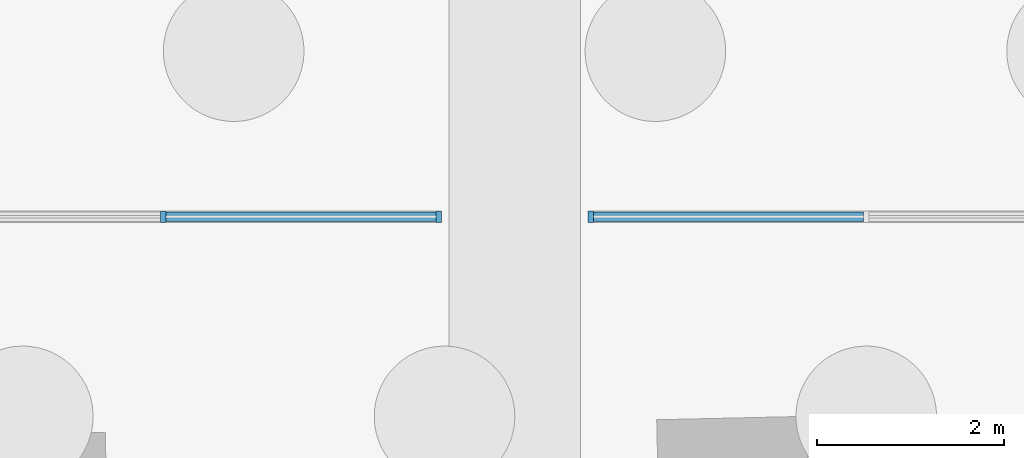
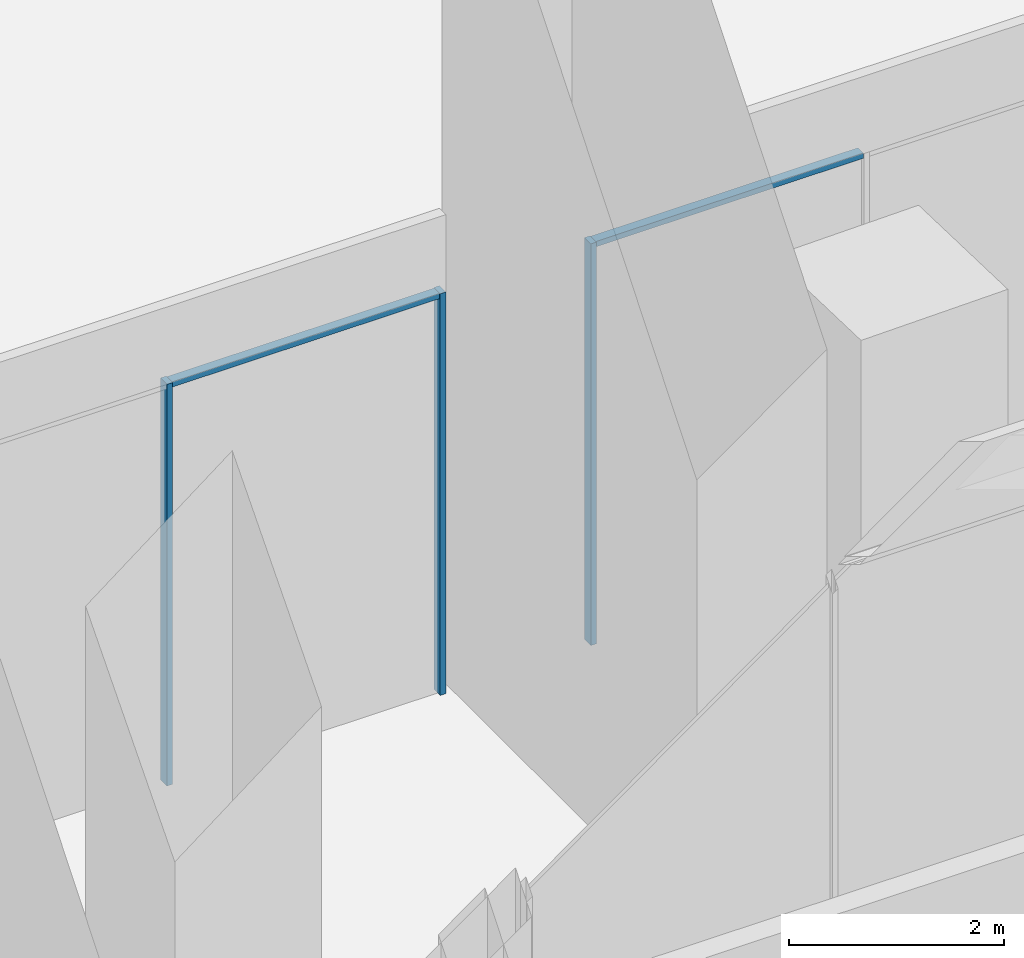
# One storey, part 16 of 46: 5 members, 2 elements without a shape of their own.
"""IFC4 building model written with IfcOpenShell, lengths in metres."""

from ifc_helpers import new_model, si_unit, direction, frame, origin, origin_2d, place, context, subcontext, project, spatial, rectangle, extrude, material, material_profile, profile_set, type_object, element, aggregate, save


model = new_model("IFC4")

# Units and contexts
model_context = context("Model", 3, precision=1e-05, world=origin(), true_north=direction((0.0, 1.0)))
body_context = subcontext(model_context, "Body", "Model", "MODEL_VIEW")
ifc_project = project(units=[si_unit("LENGTHUNIT", "METRE"), si_unit("AREAUNIT", "SQUARE_METRE"), si_unit("VOLUMEUNIT", "CUBIC_METRE"), si_unit("PLANEANGLEUNIT", "RADIAN"), si_unit("MASSUNIT", "GRAM", prefix="KILO")], contexts=[model_context])

# Site, building, storey
site_placement = place(None, origin())
site = spatial("IfcSite", under=ifc_project, at=site_placement, CompositionType="ELEMENT")
building_placement = place(site_placement, origin())
building = spatial("IfcBuilding", under=site, at=building_placement, Name="Mangrove Gate Tower", CompositionType="ELEMENT")
storey_placement = place(building_placement, origin())
storey = spatial("IfcBuildingStorey", under=building, at=storey_placement, Name="L00", CompositionType="ELEMENT", Elevation=0.0)

# Curtain wall, member
ifc_material_1 = material(Name="Aluminium and glass curtain wall", Category="aluminium")
curtain_wall_type = type_object("IfcCurtainWallType", Name="Podium shopfront glazing wall", PredefinedType="NOTDEFINED", material=ifc_material_1)
curtain_wall_1_placement = place(storey_placement, origin())
curtain_wall_1 = element("IfcCurtainWall", 1, at=curtain_wall_1_placement, inside=storey, type_object=curtain_wall_type, Name="Podium shopfront glazing N4013s1", PredefinedType="NOTDEFINED")
ifc_material_2 = material(Name="Aluminium alloy 6063-T6", Category="aluminium")
ifc_material_profile_1 = material_profile(ifc_material_2, rectangle(XDim=0.06005859375, YDim=0.1201171875, at=origin_2d()))
ifc_profile_set_1 = profile_set([ifc_material_profile_1], Name="Aluminium alloy 6063-T6")
member_type_1 = type_object("IfcMemberType", Name="Podium shopfront glazing mullion 60x120", PredefinedType="MULLION", material=ifc_profile_set_1)
member_1_placement = place(storey_placement, frame((8.31005859375, -25.14990234375, 0.0), z_axis=(0.0, 0.0, 1.0), x_axis=(-1.0, 0.0, 0.0)))
member_1 = element("IfcMember", 2, at=member_1_placement, type_object=member_type_1, Name="CWS mullion 3", PredefinedType="MULLION", context=body_context, shape_type="SweptSolid", body=[
    extrude(rectangle(XDim=0.06005859375, YDim=0.1201171875, at=origin_2d()), origin(), (0.0, 0.0, 1.0), 4.570068359375),
])

# Curtain wall, members
curtain_wall_2_placement = place(storey_placement, origin())
curtain_wall_2 = element("IfcCurtainWall", 3, at=curtain_wall_2_placement, inside=storey, type_object=curtain_wall_type, Name="Podium shopfront glazing N4014s1", PredefinedType="NOTDEFINED")
member_2_placement = place(storey_placement, frame((6.68994140625, -25.14990234375, 0.0), z_axis=(0.0, 0.0, 1.0), x_axis=(-1.0, 0.0, 0.0)))
member_2 = element("IfcMember", 4, at=member_2_placement, type_object=member_type_1, Name="CWS mullion 1", PredefinedType="MULLION", context=body_context, shape_type="SweptSolid", body=[
    extrude(rectangle(XDim=0.06005859375, YDim=0.1201171875, at=origin_2d()), origin(), (0.0, 0.0, 1.0), 4.570068359375),
])
member_3_placement = place(storey_placement, frame((3.75, -25.14990234375, 0.0), z_axis=(0.0, 0.0, 1.0), x_axis=(-1.0, 0.0, 0.0)))
member_3 = element("IfcMember", 5, at=member_3_placement, type_object=member_type_1, Name="CWS mullion 2", PredefinedType="MULLION", context=body_context, shape_type="SweptSolid", body=[
    extrude(rectangle(XDim=0.06005859375, YDim=0.1201171875, at=origin_2d()), origin(), (0.0, 0.0, 1.0), 4.570068359375),
])

# Member
ifc_material_3 = material(Name="Aluminium alloy 6063-T6", Category="aluminium")
ifc_material_profile_2 = material_profile(ifc_material_3, rectangle(XDim=0.06005859375, YDim=0.10009765625, at=origin_2d()))
ifc_profile_set_2 = profile_set([ifc_material_profile_2], Name="Aluminium alloy 6063-T6")
member_type_2 = type_object("IfcMemberType", Name="Podium shopfront glazing transom 60x100", PredefinedType="USERDEFINED", material=ifc_profile_set_2)
member_4_placement = place(storey_placement, frame((11.219970703125, -25.14990234375, 4.5400390625), z_axis=(-1.0, 0.0, 0.0), x_axis=(0.0, 0.0, 1.0)))
member_4 = element("IfcMember", 6, at=member_4_placement, type_object=member_type_2, Name="CWS transom 2.2", ObjectType="TRANSOM", PredefinedType="USERDEFINED", context=body_context, shape_type="SweptSolid", body=[
    extrude(rectangle(XDim=0.06005859375, YDim=0.10009765625, at=origin_2d()), origin(), (0.0, 0.0, 1.0), 2.8798828125),
])

aggregate(curtain_wall_1, [member_1, member_4])

member_5_placement = place(storey_placement, frame((6.659912109375, -25.14990234375, 4.5400390625), z_axis=(-1.0, 0.0, 0.0), x_axis=(0.0, 0.0, 1.0)))
member_5 = element("IfcMember", 7, at=member_5_placement, type_object=member_type_2, Name="CWS transom 1.2", ObjectType="TRANSOM", PredefinedType="USERDEFINED", context=body_context, shape_type="SweptSolid", body=[
    extrude(rectangle(XDim=0.06005859375, YDim=0.10009765625, at=origin_2d()), origin(), (0.0, 0.0, 1.0), 2.8798828125),
])

aggregate(curtain_wall_2, [member_2, member_3, member_5])

save(model, "model.ifc")
